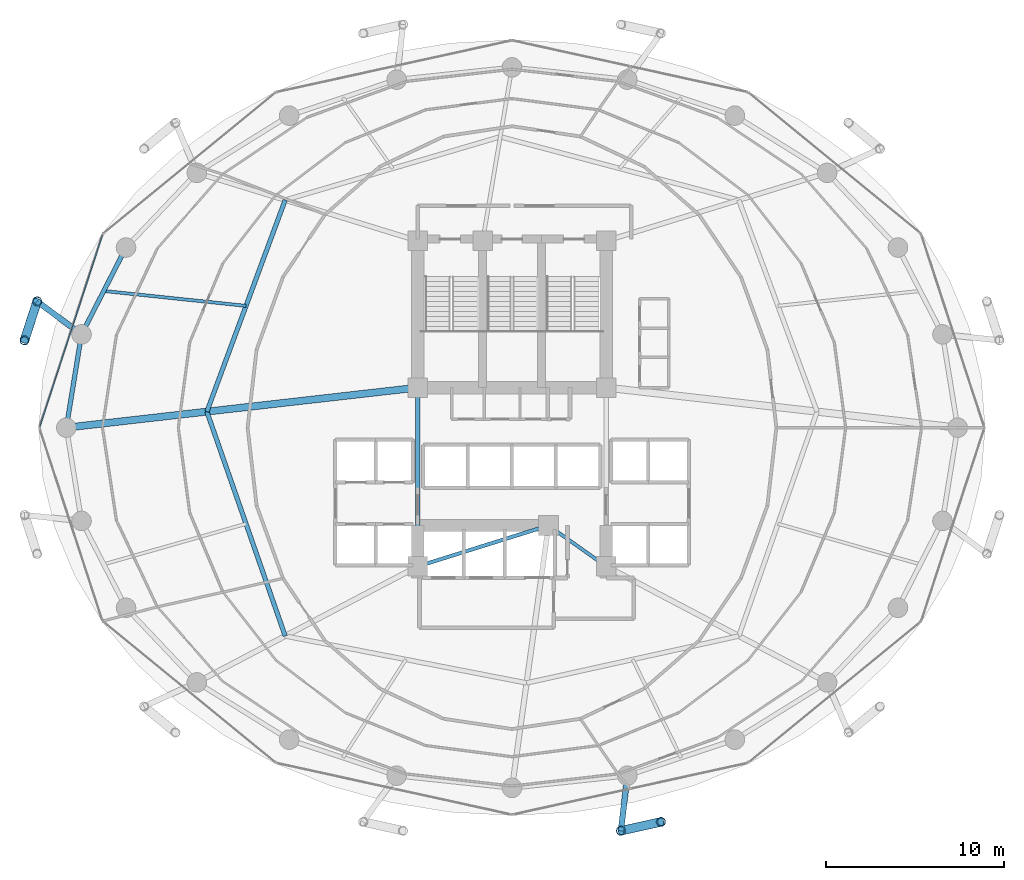
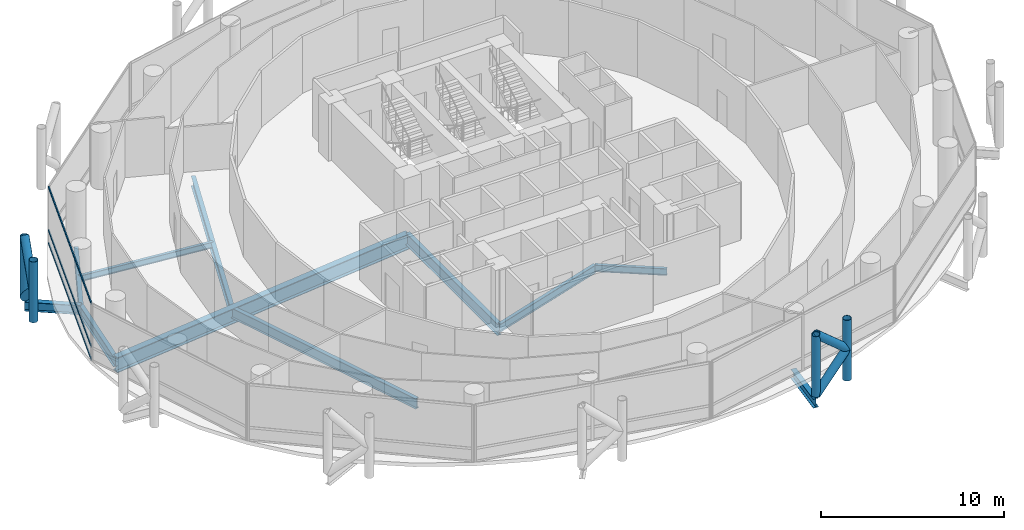
# One storey, part 7 of 26: 11 beams, 11 members, 1 element without a shape of its own.
"""IFC4 building model written with IfcOpenShell, lengths in metres."""

from ifc_helpers import new_model, si_unit, direction, frame, origin, origin_2d, place, context, subcontext, project, spatial, hollow_rectangle, hollow_circle, i_section, extrude, material, layer, layer_set, material_profile, profile_set, type_object, element, aggregate, save


model = new_model("IFC4")

# Units and contexts
model_context = context("Model", 3, precision=1e-05, world=origin(), true_north=direction((0.0, 1.0)))
body_context = subcontext(model_context, "Body", "Model", "MODEL_VIEW")
ifc_project = project(units=[si_unit("LENGTHUNIT", "METRE"), si_unit("AREAUNIT", "SQUARE_METRE"), si_unit("VOLUMEUNIT", "CUBIC_METRE"), si_unit("PLANEANGLEUNIT", "RADIAN"), si_unit("MASSUNIT", "GRAM", prefix="KILO")], contexts=[model_context])

# Site, building, storey
site_placement = place(None, origin())
site = spatial("IfcSite", under=ifc_project, at=site_placement, CompositionType="ELEMENT")
building_placement = place(site_placement, origin())
building = spatial("IfcBuilding", under=site, at=building_placement, Name="Nuhasar Tower", CompositionType="ELEMENT")
storey_placement = place(building_placement, frame((0.0, 0.0, 97.949951171875)))
storey = spatial("IfcBuildingStorey", under=building, at=storey_placement, Name="L23", CompositionType="ELEMENT", Elevation=97.949951171875)

# Beams
ifc_material_1 = material(Name="Steel S355", Category="steel")
ifc_material_profile_1 = material_profile(ifc_material_1, i_section(OverallWidth=0.25390625, OverallDepth=0.68408203125, WebThickness=0.012451171875, FlangeThickness=0.018798828125, at=origin_2d()), Name="W27X94")
ifc_profile_set_1 = profile_set([ifc_material_profile_1], Name="Steel S355")
beam_type_1 = type_object("IfcBeamType", Name="BM-INRING-W27X94", PredefinedType="BEAM", material=ifc_profile_set_1)
beam_1_placement = place(storey_placement, frame((26.251953125, 39.591064453125, -0.592041015625), z_axis=(-0.34715757476, -0.937806812881, 0.0), x_axis=(0.937806812881, -0.34715757476, 0.0)))
element("IfcBeam", 1, at=beam_1_placement, inside=storey, type_object=beam_type_1, Name="L23 Inner Header Beam 07", PredefinedType="BEAM", context=body_context, shape_type="SweptSolid", body=[
    extrude(i_section(OverallWidth=0.25390625, OverallDepth=0.68408203125, WebThickness=0.012451171875, FlangeThickness=0.018798828125, at=origin_2d()), origin(), (0.0, 0.0, 1.0), 12.6796875),
])
beam_2_placement = place(storey_placement, frame((21.85009765625, 27.699951171875, -0.592041015625), z_axis=(0.329554049858, -0.944136710558, 0.0), x_axis=(0.944136710558, 0.329554049858, 0.0)))
element("IfcBeam", 2, at=beam_2_placement, inside=storey, type_object=beam_type_1, Name="L23 Inner Header Beam 08", PredefinedType="BEAM", context=body_context, shape_type="SweptSolid", body=[
    extrude(i_section(OverallWidth=0.25390625, OverallDepth=0.68408203125, WebThickness=0.012451171875, FlangeThickness=0.018798828125, at=origin_2d()), origin(), (0.0, 0.0, 1.0), 13.35693359375),
])
ifc_material_profile_2 = material_profile(ifc_material_1, i_section(OverallWidth=0.177978515625, OverallDepth=0.406005859375, WebThickness=0.0078125, FlangeThickness=0.0126953125, at=origin_2d()), Name="W16X40")
ifc_profile_set_2 = profile_set([ifc_material_profile_2], Name="Steel S355")
beam_type_2 = type_object("IfcBeamType", Name="BM-JST-W16X40", PredefinedType="JOIST", material=ifc_profile_set_2)
beam_3_placement = place(storey_placement, frame((24.051025390625, 33.64501953125, -0.452880859375), z_axis=(-0.994554594377, 0.104216883485, 0.0), x_axis=(-0.104216883485, -0.994554594377, 0.0)))
element("IfcBeam", 3, at=beam_3_placement, inside=storey, type_object=beam_type_2, Name="L23 Secondary Floor Joist 07", PredefinedType="JOIST", context=body_context, shape_type="SweptSolid", body=[
    extrude(i_section(OverallWidth=0.177978515625, OverallDepth=0.406005859375, WebThickness=0.0078125, FlangeThickness=0.0126953125, at=origin_2d()), origin(), (0.0, 0.0, 1.0), 8.039794921875),
])
ifc_material_profile_3 = material_profile(ifc_material_1, i_section(OverallWidth=0.18994140625, OverallDepth=0.45703125, WebThickness=0.009033203125, FlangeThickness=0.014404296875, at=origin_2d()), Name="W18X50")
ifc_profile_set_3 = profile_set([ifc_material_profile_3], Name="Steel S355")
beam_type_3 = type_object("IfcBeamType", Name="BM-RAD-W18X50", PredefinedType="BEAM", material=ifc_profile_set_3)
beam_4_placement = place(storey_placement, frame((41.050048828125, 21.300048828125, -0.47802734375), z_axis=(0.816265428953, -0.577677028708, 0.0), x_axis=(0.577677028708, 0.816265428953, 0.0)))
element("IfcBeam", 4, at=beam_4_placement, inside=storey, type_object=beam_type_3, Name="L23 Core Ring Girder 2", PredefinedType="BEAM", context=body_context, shape_type="SweptSolid", body=[
    extrude(i_section(OverallWidth=0.18994140625, OverallDepth=0.45703125, WebThickness=0.009033203125, FlangeThickness=0.014404296875, at=origin_2d()), origin(), (0.0, 0.0, 1.0), 3.9814453125),
])
ifc_material_profile_4 = material_profile(ifc_material_1, i_section(OverallWidth=0.208984375, OverallDepth=0.532958984375, WebThickness=0.01025390625, FlangeThickness=0.015625, at=origin_2d()), Name="W21X62")
ifc_profile_set_4 = profile_set([ifc_material_profile_4], Name="Steel S355")
beam_type_4 = type_object("IfcBeamType", Name="BM-RAD-W21X62", PredefinedType="BEAM", material=ifc_profile_set_4)
beam_5_placement = place(storey_placement, frame((33.699951171875, 19.0, -0.515869140625), z_axis=(0.954363709454, 0.298646798205, 0.0), x_axis=(-0.298646798205, 0.954363709454, 0.0)))
element("IfcBeam", 5, at=beam_5_placement, inside=storey, type_object=beam_type_4, Name="L23 Core Ring Girder 1", PredefinedType="BEAM", context=body_context, shape_type="SweptSolid", body=[
    extrude(i_section(OverallWidth=0.208984375, OverallDepth=0.532958984375, WebThickness=0.01025390625, FlangeThickness=0.015625, at=origin_2d()), origin(), (0.0, 0.0, 1.0), 7.70166015625),
])
ifc_material_profile_5 = material_profile(ifc_material_1, i_section(OverallWidth=0.26611328125, OverallDepth=0.779052734375, WebThickness=0.0166015625, FlangeThickness=0.030029296875, at=origin_2d()), Name="W30X148")
ifc_profile_set_5 = profile_set([ifc_material_profile_5], Name="Steel S355")
beam_type_5 = type_object("IfcBeamType", Name="BM-RAD-W30X148", PredefinedType="BEAM", material=ifc_profile_set_5)
beam_6_placement = place(storey_placement, frame((33.699951171875, 29.050048828125, -0.638916015625), z_axis=(0.0, -1.0, 0.0), x_axis=(1.0, 0.0, 0.0)))
element("IfcBeam", 6, at=beam_6_placement, inside=storey, type_object=beam_type_5, Name="L23 Core Ring Girder 8", PredefinedType="BEAM", context=body_context, shape_type="SweptSolid", body=[
    extrude(i_section(OverallWidth=0.26611328125, OverallDepth=0.779052734375, WebThickness=0.0166015625, FlangeThickness=0.030029296875, at=origin_2d()), origin(), (0.0, 0.0, 1.0), 10.050048828125),
])
ifc_material_profile_6 = material_profile(ifc_material_1, i_section(OverallWidth=0.256103515625, OverallDepth=0.693115234375, WebThickness=0.014404296875, FlangeThickness=0.023681640625, at=origin_2d()), Name="W27X114")
ifc_profile_set_6 = profile_set([ifc_material_profile_6], Name="Steel S355")
beam_type_6 = type_object("IfcBeamType", Name="BM-RING-W27X114", PredefinedType="SPANDREL", material=ifc_profile_set_6)
beam_7_placement = place(storey_placement, frame((17.305908203125, 36.925048828125, -0.596923828125), z_axis=(-0.455930023905, -0.890015625314, 0.0), x_axis=(0.890015625314, -0.455930023905, 0.0)))
element("IfcBeam", 7, at=beam_7_placement, inside=storey, type_object=beam_type_6, Name="L23 Perimeter Ring Spandrel 11", PredefinedType="SPANDREL", context=body_context, shape_type="SweptSolid", body=[
    extrude(i_section(OverallWidth=0.256103515625, OverallDepth=0.693115234375, WebThickness=0.014404296875, FlangeThickness=0.023681640625, at=origin_2d()), origin(), (0.0, 0.0, 1.0), 5.487548828125),
])
beam_8_placement = place(storey_placement, frame((14.803955078125, 32.041015625, -0.596923828125), z_axis=(-0.160826635486, -0.986982671235, 0.0), x_axis=(0.986982671235, -0.160826635486, 0.0)))
element("IfcBeam", 8, at=beam_8_placement, inside=storey, type_object=beam_type_6, Name="L23 Perimeter Ring Spandrel 12", PredefinedType="SPANDREL", context=body_context, shape_type="SweptSolid", body=[
    extrude(i_section(OverallWidth=0.256103515625, OverallDepth=0.693115234375, WebThickness=0.014404296875, FlangeThickness=0.023681640625, at=origin_2d()), origin(), (0.0, 0.0, 1.0), 5.31005859375),
])
ifc_material_profile_7 = material_profile(ifc_material_1, i_section(OverallWidth=0.323974609375, OverallDepth=0.611083984375, WebThickness=0.0126953125, FlangeThickness=0.01904296875, at=origin_2d()), Name="W24X104")
ifc_profile_set_7 = profile_set([ifc_material_profile_7], Name="Steel S355")
beam_type_7 = type_object("IfcBeamType", Name="BM-TIE-W24X104", PredefinedType="BEAM", material=ifc_profile_set_7)
beam_9_placement = place(storey_placement, frame((14.803955078125, 32.041015625, -0.554931640625), z_axis=(-0.802151061326, 0.597121155892, 0.0), x_axis=(-0.597121155892, -0.802151061326, 0.0)))
element("IfcBeam", 9, at=beam_9_placement, inside=storey, type_object=beam_type_7, Name="L23 Exoskeleton Node Tie Beam 06", PredefinedType="BEAM", context=body_context, shape_type="SweptSolid", body=[
    extrude(i_section(OverallWidth=0.323974609375, OverallDepth=0.611083984375, WebThickness=0.0126953125, FlangeThickness=0.01904296875, at=origin_2d()), origin(), (0.0, 0.0, 1.0), 3.111328125),
])
beam_10_placement = place(storey_placement, frame((45.48291015625, 7.239990234375, -0.554931640625), z_axis=(-0.115042934281, -0.993360520291, 0.0), x_axis=(0.993360520291, -0.115042934281, 0.0)))
element("IfcBeam", 10, at=beam_10_placement, inside=storey, type_object=beam_type_7, Name="L23 Exoskeleton Node Tie Beam 10", PredefinedType="BEAM", context=body_context, shape_type="SweptSolid", body=[
    extrude(i_section(OverallWidth=0.323974609375, OverallDepth=0.611083984375, WebThickness=0.0126953125, FlangeThickness=0.01904296875, at=origin_2d()), origin(), (0.0, 0.0, 1.0), 3.11962890625),
])
ifc_material_2 = material(Name="Steel S460", Category="steel")
ifc_material_profile_8 = material_profile(ifc_material_2, i_section(OverallWidth=0.40087890625, OverallDepth=1.010009765625, WebThickness=0.023681640625, FlangeThickness=0.0419921875, at=origin_2d()), Name="W40X297")
ifc_profile_set_8 = profile_set([ifc_material_profile_8], Name="Steel S460")
beam_type_8 = type_object("IfcBeamType", Name="BM-XFER-W40X297", PredefinedType="USERDEFINED", material=ifc_profile_set_8)
beam_11_placement = place(storey_placement, frame((33.699951171875, 29.050048828125, -0.7548828125), z_axis=(-0.993573147212, -0.113191877531, 0.0), x_axis=(0.113191877531, -0.993573147212, 0.0)))
element("IfcBeam", 11, at=beam_11_placement, inside=storey, type_object=beam_type_8, Name="L23 Radial Floor Girder 08", ObjectType="GIRDER", PredefinedType="USERDEFINED", context=body_context, shape_type="SweptSolid", body=[
    extrude(i_section(OverallWidth=0.40087890625, OverallDepth=1.010009765625, WebThickness=0.023681640625, FlangeThickness=0.0419921875, at=origin_2d()), origin(), (0.0, 0.0, 1.0), 19.877685546875),
])

# Curtain wall, members
ifc_material_3 = material(Name="Aluminium 6063-T6", Category="aluminium")
ifc_layer = layer(ifc_material_3, 0.199951171875)
ifc_layer_set = layer_set([ifc_layer], Name="Aluminium 6063-T6")
curtain_wall_type = type_object("IfcCurtainWallType", Name="CW-Z1-OFF", PredefinedType="NOTDEFINED", material=ifc_layer_set)
curtain_wall_placement = place(storey_placement, origin())
curtain_wall = element("IfcCurtainWall", 12, at=curtain_wall_placement, inside=storey, type_object=curtain_wall_type, Name="L23 Unitised Curtain Wall 06", PredefinedType="NOTDEFINED")
ifc_material_profile_9 = material_profile(ifc_material_3, hollow_rectangle(XDim=0.06494140625, YDim=0.14990234375, WallThickness=0.00439453125, at=origin_2d()), Name="CWT-2")
ifc_profile_set_9 = profile_set([ifc_material_profile_9], Name="Aluminium 6063-T6")
member_type_1 = type_object("IfcMemberType", Name="CW-TRN-S2", PredefinedType="USERDEFINED", material=ifc_profile_set_9)
member_1_placement = place(storey_placement, frame((15.977783203125, 37.6181640625, 0.032470703125), z_axis=(-0.31082506089, -0.950467138581, 0.0), x_axis=(0.950467138581, -0.31082506089, 0.0)))
member_1 = element("IfcMember", 13, at=member_1_placement, type_object=member_type_1, Name="CW-Z1 transom 1.1", ObjectType="TRANSOM", PredefinedType="USERDEFINED", context=body_context, shape_type="SweptSolid", body=[
    extrude(hollow_rectangle(XDim=0.06494140625, YDim=0.14990234375, WallThickness=0.00439453125, at=origin_2d()), origin(), (0.0, 0.0, 1.0), 11.31689453125),
])
member_2_placement = place(storey_placement, frame((15.977783203125, 37.6181640625, 0.900146484375), z_axis=(-0.31082506089, -0.950467138581, 0.0), x_axis=(0.950467138581, -0.31082506089, 0.0)))
member_2 = element("IfcMember", 14, at=member_2_placement, type_object=member_type_1, Name="CW-Z1 transom 1.2", ObjectType="TRANSOM", PredefinedType="USERDEFINED", context=body_context, shape_type="SweptSolid", body=[
    extrude(hollow_rectangle(XDim=0.06494140625, YDim=0.14990234375, WallThickness=0.00439453125, at=origin_2d()), origin(), (0.0, 0.0, 1.0), 11.31689453125),
])
member_3_placement = place(storey_placement, frame((15.977783203125, 37.6181640625, 3.767578125), z_axis=(-0.31082506089, -0.950467138581, 0.0), x_axis=(0.950467138581, -0.31082506089, 0.0)))
member_3 = element("IfcMember", 15, at=member_3_placement, type_object=member_type_1, Name="CW-Z1 transom 1.3", ObjectType="TRANSOM", PredefinedType="USERDEFINED", context=body_context, shape_type="SweptSolid", body=[
    extrude(hollow_rectangle(XDim=0.06494140625, YDim=0.14990234375, WallThickness=0.00439453125, at=origin_2d()), origin(), (0.0, 0.0, 1.0), 11.31689453125),
])
aggregate(curtain_wall, [member_1, member_2, member_3])

# Members
ifc_material_profile_10 = material_profile(ifc_material_2, hollow_circle(Radius=0.25390625, WallThickness=0.025390625, at=origin_2d()), Name="HSS508X25.4")
ifc_profile_set_10 = profile_set([ifc_material_profile_10], Name="Steel S460")
member_type_2 = type_object("IfcMemberType", Name="EXO-BRONZE-508", PredefinedType="BRACE", material=ifc_profile_set_10)
for number, where, z_axis, x_axis, name in (
    (16, (12.30810546875, 33.89892578125, 0.0), (0.0, 0.0, 1.0), (1.0, 0.0, 0.0), "L23 Exoskeleton Chord Column EC-06A"),
    (17, (11.60009765625, 31.7099609375, 0.0), (0.0, 0.0, 1.0), (1.0, 0.0, 0.0), "L23 Exoskeleton Chord Column EC-06B"),
    (18, (45.1240234375, 4.14111328125, 0.0), (0.0, 0.0, 1.0), (1.0, 0.0, 0.0), "L23 Exoskeleton Chord Column EC-10A"),
    (19, (47.3701171875, 4.639892578125, 0.0), (0.0, 0.0, 1.0), (1.0, 0.0, 0.0), "L23 Exoskeleton Chord Column EC-10B"),
):
    element("IfcMember", number, at=place(storey_placement, frame(where, z_axis=z_axis, x_axis=x_axis)), inside=storey, type_object=member_type_2, Name=name, PredefinedType="BRACE", context=body_context, shape_type="SweptSolid", body=[
        extrude(hollow_circle(Radius=0.25390625, WallThickness=0.025390625, at=origin_2d()), origin(), (0.0, 0.0, 1.0), 4.050048828125),
    ])
member_4_placement = place(storey_placement, frame((12.30810546875, 33.89892578125, 0.0), z_axis=(-0.230999678299, -0.714187281251, 0.660738734997), x_axis=(0.951468282519, -0.307746823478, 0.0)))
element("IfcMember", 20, at=member_4_placement, inside=storey, type_object=member_type_2, Name="L23 Bronze Diagrid Brace W1-06", PredefinedType="BRACE", context=body_context, shape_type="SweptSolid", body=[
    extrude(hollow_circle(Radius=0.25390625, WallThickness=0.025390625, at=origin_2d()), origin(), (0.0, 0.0, 1.0), 3.06494140625),
])
member_5_placement = place(storey_placement, frame((11.60009765625, 31.7099609375, 2.025146484375), z_axis=(0.231011836313, 0.714224870475, 0.660693851854), x_axis=(-0.951468282519, 0.307746823478, 0.0)))
element("IfcMember", 21, at=member_5_placement, inside=storey, type_object=member_type_2, Name="L23 Bronze Diagrid Brace W2-06", PredefinedType="BRACE", context=body_context, shape_type="SweptSolid", body=[
    extrude(hollow_circle(Radius=0.25390625, WallThickness=0.025390625, at=origin_2d()), origin(), (0.0, 0.0, 1.0), 3.064697265625),
])
member_6_placement = place(storey_placement, frame((45.1240234375, 4.14111328125, 0.0), z_axis=(0.732792408767, 0.162727705556, 0.660707938122), x_axis=(-0.216784396973, 0.976219506683, 0.0)))
element("IfcMember", 22, at=member_6_placement, inside=storey, type_object=member_type_2, Name="L23 Bronze Diagrid Brace W1-10", PredefinedType="BRACE", context=body_context, shape_type="SweptSolid", body=[
    extrude(hollow_circle(Radius=0.25390625, WallThickness=0.025390625, at=origin_2d()), origin(), (0.0, 0.0, 1.0), 3.065185546875),
])
member_7_placement = place(storey_placement, frame((47.3701171875, 4.639892578125, 2.025146484375), z_axis=(-0.732830973624, -0.162736269469, 0.66066305383), x_axis=(0.216784396973, -0.976219506683, 0.0)))
element("IfcMember", 23, at=member_7_placement, inside=storey, type_object=member_type_2, Name="L23 Bronze Diagrid Brace W2-10", PredefinedType="BRACE", context=body_context, shape_type="SweptSolid", body=[
    extrude(hollow_circle(Radius=0.25390625, WallThickness=0.025390625, at=origin_2d()), origin(), (0.0, 0.0, 1.0), 3.06494140625),
])

save(model, "model.ifc")
